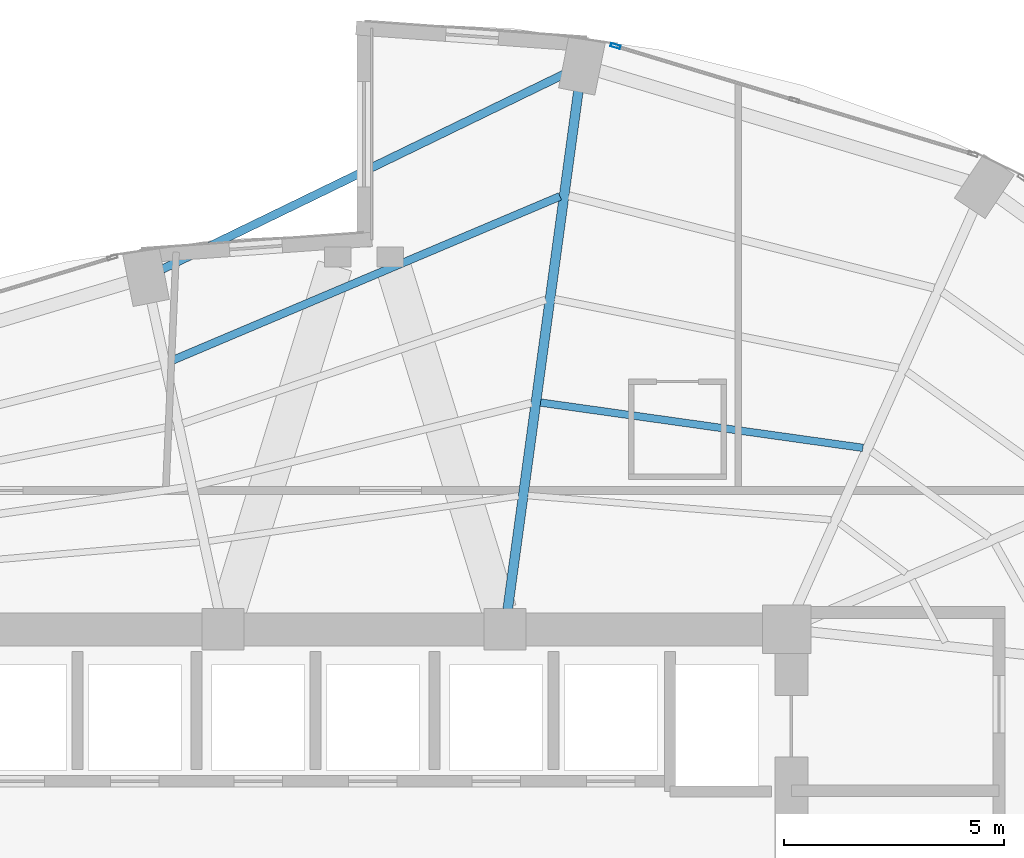
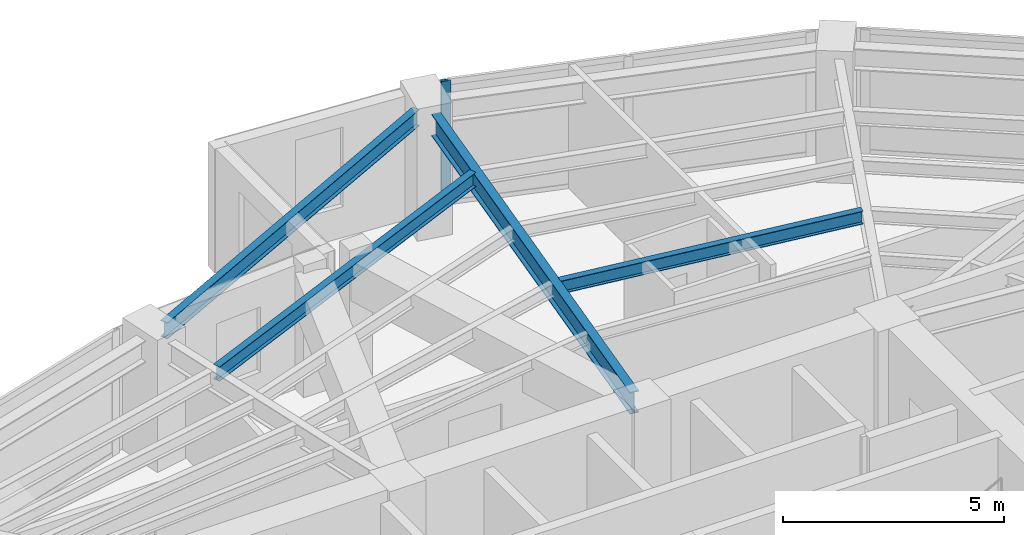
# One storey, part 16 of 24: 4 beams, 1 member, 1 element without a shape of its own.
"""IFC4 building model written with IfcOpenShell, lengths in metres."""

from ifc_helpers import new_model, si_unit, direction, frame, origin, origin_2d, place, context, subcontext, project, spatial, hollow_rectangle, i_section, extrude, material, layer, layer_set, material_profile, profile_set, type_object, element, aggregate, save


model = new_model("IFC4")

# Units and contexts
model_context = context("Model", 3, precision=1e-05, world=origin(), true_north=direction((0.0, 1.0)))
body_context = subcontext(model_context, "Body", "Model", "MODEL_VIEW")
ifc_project = project(units=[si_unit("LENGTHUNIT", "METRE"), si_unit("AREAUNIT", "SQUARE_METRE"), si_unit("VOLUMEUNIT", "CUBIC_METRE"), si_unit("PLANEANGLEUNIT", "RADIAN"), si_unit("MASSUNIT", "GRAM", prefix="KILO")], contexts=[model_context])

# Site, building, storey
site_placement = place(None, origin())
site = spatial("IfcSite", under=ifc_project, at=site_placement, CompositionType="ELEMENT")
building_placement = place(site_placement, origin())
building = spatial("IfcBuilding", under=site, at=building_placement, Name="Lazwardi Medical Tower", CompositionType="ELEMENT")
storey_placement = place(building_placement, frame((0.0, 0.0, 110.927978515625)))
storey = spatial("IfcBuildingStorey", under=building, at=storey_placement, Name="L28", CompositionType="ELEMENT", Elevation=110.927978515625)

# Beams
ifc_material_1 = material(Name="Steel S355", Category="steel")
ifc_material_profile_1 = material_profile(ifc_material_1, i_section(OverallWidth=0.219970703125, OverallDepth=0.60009765625, WebThickness=0.011962890625, FlangeThickness=0.01904296875, at=origin_2d()), Name="IPE 600")
ifc_profile_set_1 = profile_set([ifc_material_profile_1], Name="Steel S355")
beam_type_1 = type_object("IfcBeamType", Name="BM-RG-W1", PredefinedType="BEAM", material=ifc_profile_set_1)
beam_1_placement = place(storey_placement, frame((40.8671875, 47.82275390625, 3.1279296875), z_axis=(-0.135147148002, -0.990825538825, 0.0), x_axis=(0.990825538825, -0.135147148002, 0.0)))
element("IfcBeam", 1, at=beam_1_placement, inside=storey, type_object=beam_type_1, Name="Radial girder RG-02 R08 L28", PredefinedType="BEAM", context=body_context, shape_type="SweptSolid", body=[
    extrude(i_section(OverallWidth=0.219970703125, OverallDepth=0.60009765625, WebThickness=0.011962890625, FlangeThickness=0.01904296875, at=origin_2d()), origin(), (0.0, 0.0, 1.0), 11.875732421875),
])
ifc_material_profile_2 = material_profile(ifc_material_1, i_section(OverallWidth=0.179931640625, OverallDepth=0.39990234375, WebThickness=0.008544921875, FlangeThickness=0.013427734375, at=origin_2d()), Name="IPE 400")
ifc_profile_set_2 = profile_set([ifc_material_profile_2], Name="Steel S355")
beam_type_2 = type_object("IfcBeamType", Name="BM-SJ-01", PredefinedType="JOIST", material=ifc_profile_set_2)
beam_2_placement = place(storey_placement, frame((40.449462890625, 45.428466796875, 3.22802734375), z_axis=(-0.920947307957, -0.389687125739, 0.0), x_axis=(0.389687125739, -0.920947307957, 0.0)))
element("IfcBeam", 2, at=beam_2_placement, inside=storey, type_object=beam_type_2, Name="Secondary joist SJ-01 R1 B08 L28", PredefinedType="JOIST", context=body_context, shape_type="SweptSolid", body=[
    extrude(i_section(OverallWidth=0.179931640625, OverallDepth=0.39990234375, WebThickness=0.008544921875, FlangeThickness=0.013427734375, at=origin_2d()), origin(), (0.0, 0.0, 1.0), 9.63134765625),
])
ifc_material_profile_3 = material_profile(ifc_material_1, i_section(OverallWidth=0.169921875, OverallDepth=0.360107421875, WebThickness=0.008056640625, FlangeThickness=0.0126953125, at=origin_2d()), Name="IPE 360")
ifc_profile_set_3 = profile_set([ifc_material_profile_3], Name="Steel S355")
beam_type_3 = type_object("IfcBeamType", Name="BM-SJ-02", PredefinedType="JOIST", material=ifc_profile_set_3)
beam_3_placement = place(storey_placement, frame((47.32568359375, 39.718994140625, 3.248046875), z_axis=(-0.990260920731, 0.139223952222, 0.0), x_axis=(-0.139223952222, -0.990260920731, 0.0)))
element("IfcBeam", 3, at=beam_3_placement, inside=storey, type_object=beam_type_3, Name="Secondary joist SJ-02 R3 B07 L28", PredefinedType="JOIST", context=body_context, shape_type="SweptSolid", body=[
    extrude(i_section(OverallWidth=0.169921875, OverallDepth=0.360107421875, WebThickness=0.008056640625, FlangeThickness=0.0126953125, at=origin_2d()), origin(), (0.0, 0.0, 1.0), 7.3896484375),
])
ifc_material_profile_4 = material_profile(ifc_material_1, i_section(OverallWidth=0.18994140625, OverallDepth=0.449951171875, WebThickness=0.009521484375, FlangeThickness=0.0146484375, at=origin_2d()), Name="IPE 450")
ifc_profile_set_4 = profile_set([ifc_material_profile_4], Name="Steel S355")
beam_type_4 = type_object("IfcBeamType", Name="BM-SP-01", PredefinedType="SPANDREL", material=ifc_profile_set_4)
beam_4_placement = place(storey_placement, frame((40.57666015625, 48.218505859375, 3.203125), z_axis=(-0.899653336227, -0.436604941125, 0.0), x_axis=(0.436604941125, -0.899653336227, 0.0)))
element("IfcBeam", 4, at=beam_4_placement, inside=storey, type_object=beam_type_4, Name="Spandrel beam SP-01 B08 L28", PredefinedType="SPANDREL", context=body_context, shape_type="SweptSolid", body=[
    extrude(i_section(OverallWidth=0.18994140625, OverallDepth=0.449951171875, WebThickness=0.009521484375, FlangeThickness=0.0146484375, at=origin_2d()), origin(), (0.0, 0.0, 1.0), 10.17431640625),
])

# Curtain wall, member
ifc_material_2 = material(Name="Anodised bronze aluminium and solar control glazing", Category="aluminium")
ifc_layer = layer(ifc_material_2, 0.195068359375)
ifc_layer_set = layer_set([ifc_layer], Name="Anodised bronze aluminium and solar control glazing")
curtain_wall_type = type_object("IfcCurtainWallType", Name="CW-SYS-03", PredefinedType="NOTDEFINED", material=ifc_layer_set)
curtain_wall_placement = place(storey_placement, origin())
curtain_wall = element("IfcCurtainWall", 5, at=curtain_wall_placement, inside=storey, type_object=curtain_wall_type, Name="L28 Unitised bronze curtain wall CW-03", PredefinedType="NOTDEFINED")
ifc_material_3 = material(Name="Anodised bronze aluminium", Category="aluminium")
ifc_material_profile_5 = material_profile(ifc_material_3, hollow_rectangle(XDim=0.074951171875, YDim=0.219970703125, WallThickness=0.00390625, at=origin_2d()), Name="ALU-MULLION 220x75x4")
ifc_profile_set_5 = profile_set([ifc_material_profile_5], Name="Anodised bronze aluminium")
member_type = type_object("IfcMemberType", Name="CW-MUL-01", PredefinedType="MULLION", material=ifc_profile_set_5)
member_placement = place(storey_placement, frame((41.710205078125, 48.840087890625, 0.0), z_axis=(0.0, 0.0, 1.0), x_axis=(-0.28937381157, -0.957216170558, 0.0)))
member = element("IfcMember", 6, at=member_placement, type_object=member_type, Name="CW-03 mullion 3", PredefinedType="MULLION", context=body_context, shape_type="SweptSolid", body=[
    extrude(hollow_rectangle(XDim=0.074951171875, YDim=0.219970703125, WallThickness=0.00390625, at=origin_2d()), origin(), (0.0, 0.0, 1.0), 3.427978515625),
])
aggregate(curtain_wall, [member])

save(model, "model.ifc")
